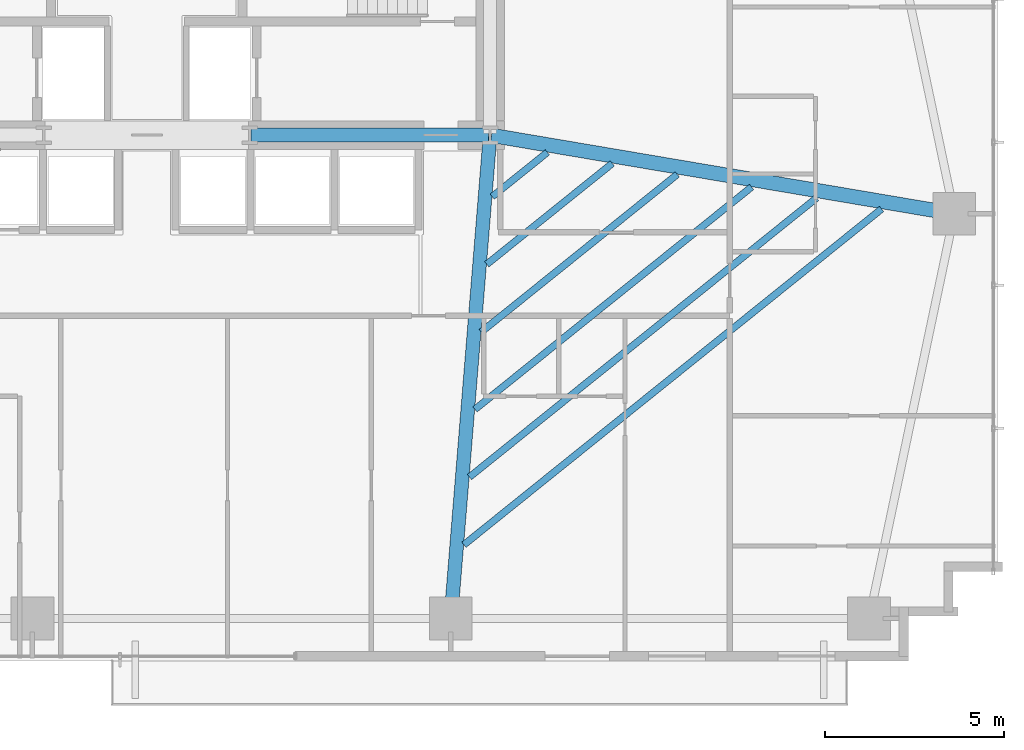
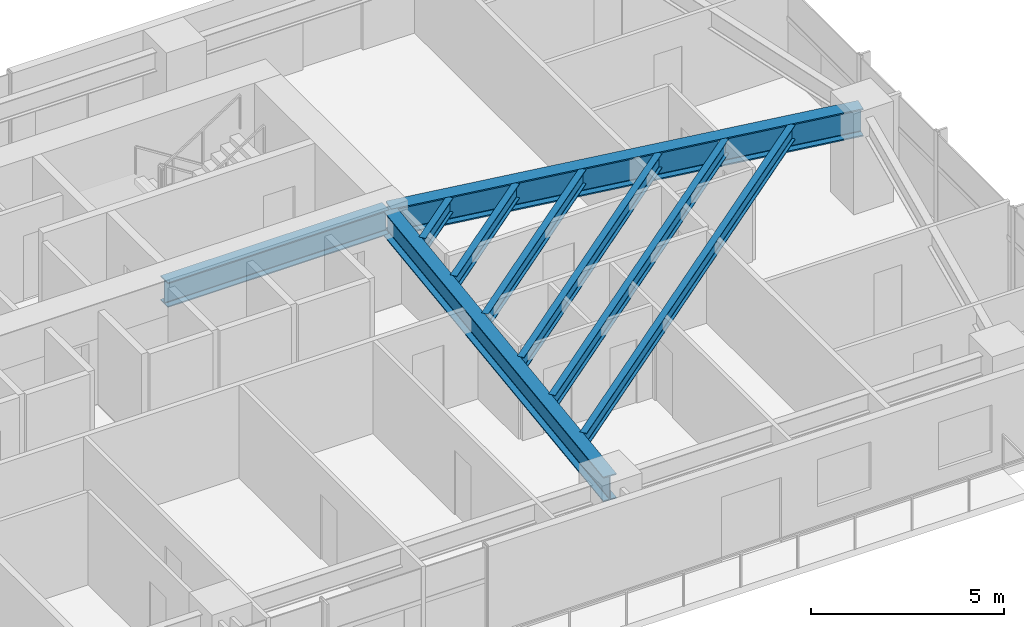
# One storey, part 13 of 25: 9 beams.
"""IFC4 building model written with IfcOpenShell, lengths in metres."""

from ifc_helpers import new_model, si_unit, direction, frame, origin, origin_2d, place, context, subcontext, project, spatial, i_section, extrude, source, transform, mapped, material, material_profile, profile_set, type_object, type_shapes, element, save


model = new_model("IFC4")

# Units and contexts
model_context = context("Model", 3, precision=1e-05, world=origin(), true_north=direction((0.0, 1.0)))
body_context = subcontext(model_context, "Body", "Model", "MODEL_VIEW")
ifc_project = project(units=[si_unit("LENGTHUNIT", "METRE"), si_unit("AREAUNIT", "SQUARE_METRE"), si_unit("VOLUMEUNIT", "CUBIC_METRE"), si_unit("PLANEANGLEUNIT", "RADIAN"), si_unit("MASSUNIT", "GRAM", prefix="KILO")], contexts=[model_context])

# Site, building, storey
site_placement = place(None, origin())
site = spatial("IfcSite", under=ifc_project, at=site_placement, CompositionType="ELEMENT")
building_placement = place(site_placement, origin())
building = spatial("IfcBuilding", under=site, at=building_placement, Name="Astriad Promenade Condominiums", CompositionType="ELEMENT")
storey_placement = place(building_placement, frame((0.0, 0.0, 29.39990234375)))
storey = spatial("IfcBuildingStorey", under=building, at=storey_placement, Name="L07", CompositionType="ELEMENT", Elevation=29.39990234375)

# Beams
ifc_material = material(Name="Steel ASTM A992 Grade 50", Category="steel")
ifc_material_profile_1 = material_profile(ifc_material, i_section(OverallWidth=0.3837890625, OverallDepth=0.785888671875, WebThickness=0.019775390625, FlangeThickness=0.033447265625, FilletRadius=0.021484375, at=origin_2d()), Name="W30X211")
ifc_profile_set_1 = profile_set([ifc_material_profile_1], Name="Steel ASTM A992 Grade 50")
beam_type_1 = type_object("IfcBeamType", Name="STEEL FLOOR GIRDER W30X211", PredefinedType="BEAM", material=ifc_profile_set_1)
shared_shape_1 = source(origin(), body_context, "Body", "SweptSolid", [
    extrude(i_section(OverallWidth=0.3837890625, OverallDepth=0.785888671875, WebThickness=0.019775390625, FlangeThickness=0.033447265625, FilletRadius=0.021484375, at=origin_2d()), origin(), (0.0, 0.0, 1.0), 6.64013671875),
])
beam_1_placement = place(storey_placement, frame((38.919921875, 17.39990234375, 2.547119140625), z_axis=(1.0, 0.0, 0.0), x_axis=(0.0, 1.0, 0.0)))
element("IfcBeam", 1, at=beam_1_placement, inside=storey, type_object=beam_type_1, Name="Core Ring Beam CG-S3-L07", PredefinedType="BEAM", context=body_context, shape_type="MappedRepresentation", body=[
    mapped(shared_shape_1, transform((0.0, 0.0, 0.0), scale=1.0)),
])
shared_shape_2 = source(origin(), body_context, "Body", "SweptSolid", [
    extrude(i_section(OverallWidth=0.3837890625, OverallDepth=0.785888671875, WebThickness=0.019775390625, FlangeThickness=0.033447265625, FilletRadius=0.021484375, at=origin_2d()), origin(), (0.0, 0.0, 1.0), 13.484619140625),
])
type_shapes(beam_type_1, [shared_shape_1, shared_shape_2])
beam_2_placement = place(storey_placement, frame((44.503173828125, 3.919921875, 2.547119140625), z_axis=(0.081092961134, 0.996706542396, 0.0), x_axis=(-0.996706542396, 0.081092961134, 0.0)))
element("IfcBeam", 2, at=beam_2_placement, inside=storey, type_object=beam_type_1, Name="Primary Floor Girder PG-E2-L07", PredefinedType="BEAM", context=body_context, shape_type="MappedRepresentation", body=[
    mapped(shared_shape_2, transform((0.0, 0.0, 0.0), scale=1.0)),
])
ifc_material_profile_2 = material_profile(ifc_material, i_section(OverallWidth=0.4013671875, OverallDepth=0.877197265625, WebThickness=0.022216796875, FlangeThickness=0.039794921875, FilletRadius=0.02294921875, at=origin_2d()), Name="W33X263")
ifc_profile_set_2 = profile_set([ifc_material_profile_2], Name="Steel ASTM A992 Grade 50")
beam_type_2 = type_object("IfcBeamType", Name="STEEL PRIMARY GIRDER W33X263", PredefinedType="BEAM", material=ifc_profile_set_2)
shared_shape_3 = source(origin(), body_context, "Body", "SweptSolid", [
    extrude(i_section(OverallWidth=0.4013671875, OverallDepth=0.877197265625, WebThickness=0.022216796875, FlangeThickness=0.039794921875, FilletRadius=0.02294921875, at=origin_2d()), origin(), (0.0, 0.0, 1.0), 13.085205078125),
])
type_shapes(beam_type_2, [shared_shape_3])
beam_3_placement = place(storey_placement, frame((58.54052734375, 15.206787109375, 2.501708984375), z_axis=(-0.985939912267, 0.167100237577, 0.0), x_axis=(-0.167100237577, -0.985939912267, 0.0)))
element("IfcBeam", 3, at=beam_3_placement, inside=storey, type_object=beam_type_2, Name="Primary Floor Girder PG-EM-L07", PredefinedType="BEAM", context=body_context, shape_type="MappedRepresentation", body=[
    mapped(shared_shape_3, transform((0.0, 0.0, 0.0), scale=1.0)),
])
ifc_material_profile_3 = material_profile(ifc_material, i_section(OverallWidth=0.19287109375, OverallDepth=0.466064453125, WebThickness=0.011474609375, FlangeThickness=0.01904296875, FilletRadius=0.01513671875, at=origin_2d()), Name="W18X65")
ifc_profile_set_3 = profile_set([ifc_material_profile_3], Name="Steel ASTM A992 Grade 50")
beam_type_3 = type_object("IfcBeamType", Name="STEEL FLOOR JOIST W18X65", PredefinedType="JOIST", material=ifc_profile_set_3)
shared_shape_4 = source(origin(), body_context, "Body", "SweptSolid", [
    extrude(i_section(OverallWidth=0.19287109375, OverallDepth=0.466064453125, WebThickness=0.011474609375, FlangeThickness=0.01904296875, FilletRadius=0.01513671875, at=origin_2d()), origin(), (0.0, 0.0, 1.0), 14.984375),
])
beam_4_placement = place(storey_placement, frame((44.867919921875, 5.944580078125, 2.70703125), z_axis=(0.77934368876, 0.626596692291, 0.0), x_axis=(-0.626596692291, 0.77934368876, 0.0)))
element("IfcBeam", 4, at=beam_4_placement, inside=storey, type_object=beam_type_3, Name="Secondary Composite Floor Joist JE1-1-L07", PredefinedType="JOIST", context=body_context, shape_type="MappedRepresentation", body=[
    mapped(shared_shape_4, transform((0.0, 0.0, 0.0), scale=1.0)),
])
shared_shape_5 = source(origin(), body_context, "Body", "SweptSolid", [
    extrude(i_section(OverallWidth=0.19287109375, OverallDepth=0.466064453125, WebThickness=0.011474609375, FlangeThickness=0.01904296875, FilletRadius=0.01513671875, at=origin_2d()), origin(), (0.0, 0.0, 1.0), 12.455078125),
])
beam_5_placement = place(storey_placement, frame((45.021728515625, 7.83740234375, 2.70703125), z_axis=(0.77935577594, 0.626581658292, 0.0), x_axis=(-0.626581658292, 0.77935577594, 0.0)))
element("IfcBeam", 5, at=beam_5_placement, inside=storey, type_object=beam_type_3, Name="Secondary Composite Floor Joist JE1-2-L07", PredefinedType="JOIST", context=body_context, shape_type="MappedRepresentation", body=[
    mapped(shared_shape_5, transform((0.0, 0.0, 0.0), scale=1.0)),
])
shared_shape_6 = source(origin(), body_context, "Body", "SweptSolid", [
    extrude(i_section(OverallWidth=0.19287109375, OverallDepth=0.466064453125, WebThickness=0.011474609375, FlangeThickness=0.01904296875, FilletRadius=0.01513671875, at=origin_2d()), origin(), (0.0, 0.0, 1.0), 9.926025390625),
])
beam_6_placement = place(storey_placement, frame((45.17578125, 9.730224609375, 2.70703125), z_axis=(0.779352355084, 0.626585913203, 0.0), x_axis=(-0.626585913203, 0.779352355084, 0.0)))
element("IfcBeam", 6, at=beam_6_placement, inside=storey, type_object=beam_type_3, Name="Secondary Composite Floor Joist JE1-3-L07", PredefinedType="JOIST", context=body_context, shape_type="MappedRepresentation", body=[
    mapped(shared_shape_6, transform((0.0, 0.0, 0.0), scale=1.0)),
])
shared_shape_7 = source(origin(), body_context, "Body", "SweptSolid", [
    extrude(i_section(OverallWidth=0.19287109375, OverallDepth=0.466064453125, WebThickness=0.011474609375, FlangeThickness=0.01904296875, FilletRadius=0.01513671875, at=origin_2d()), origin(), (0.0, 0.0, 1.0), 7.03515625),
])
beam_7_placement = place(storey_placement, frame((45.351806640625, 11.8935546875, 2.70703125), z_axis=(0.779349752639, 0.626589150131, 0.0), x_axis=(-0.626589150131, 0.779349752639, 0.0)))
element("IfcBeam", 7, at=beam_7_placement, inside=storey, type_object=beam_type_3, Name="Secondary Composite Floor Joist JE1-4-L07", PredefinedType="JOIST", context=body_context, shape_type="MappedRepresentation", body=[
    mapped(shared_shape_7, transform((0.0, 0.0, 0.0), scale=1.0)),
])
shared_shape_8 = source(origin(), body_context, "Body", "SweptSolid", [
    extrude(i_section(OverallWidth=0.19287109375, OverallDepth=0.466064453125, WebThickness=0.011474609375, FlangeThickness=0.01904296875, FilletRadius=0.01513671875, at=origin_2d()), origin(), (0.0, 0.0, 1.0), 4.505859375),
])
beam_8_placement = place(storey_placement, frame((45.505859375, 13.786376953125, 2.70703125), z_axis=(0.779365294733, 0.626569818429, 0.0), x_axis=(-0.626569818429, 0.779365294733, 0.0)))
element("IfcBeam", 8, at=beam_8_placement, inside=storey, type_object=beam_type_3, Name="Secondary Composite Floor Joist JE1-5-L07", PredefinedType="JOIST", context=body_context, shape_type="MappedRepresentation", body=[
    mapped(shared_shape_8, transform((0.0, 0.0, 0.0), scale=1.0)),
])
shared_shape_9 = source(origin(), body_context, "Body", "SweptSolid", [
    extrude(i_section(OverallWidth=0.19287109375, OverallDepth=0.466064453125, WebThickness=0.011474609375, FlangeThickness=0.01904296875, FilletRadius=0.01513671875, at=origin_2d()), origin(), (0.0, 0.0, 1.0), 1.9765625),
])
type_shapes(beam_type_3, [shared_shape_4, shared_shape_5, shared_shape_6, shared_shape_7, shared_shape_8, shared_shape_9])
beam_9_placement = place(storey_placement, frame((45.659912109375, 15.67919921875, 2.70703125), z_axis=(0.77936029648, 0.626576035506, 0.0), x_axis=(-0.626576035506, 0.77936029648, 0.0)))
element("IfcBeam", 9, at=beam_9_placement, inside=storey, type_object=beam_type_3, Name="Secondary Composite Floor Joist JE1-6-L07", PredefinedType="JOIST", context=body_context, shape_type="MappedRepresentation", body=[
    mapped(shared_shape_9, transform((0.0, 0.0, 0.0), scale=1.0)),
])

save(model, "model.ifc")
